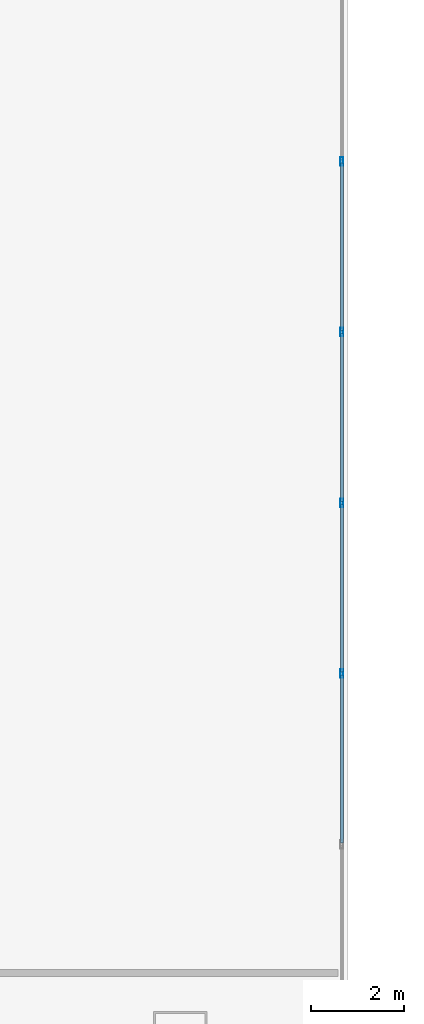
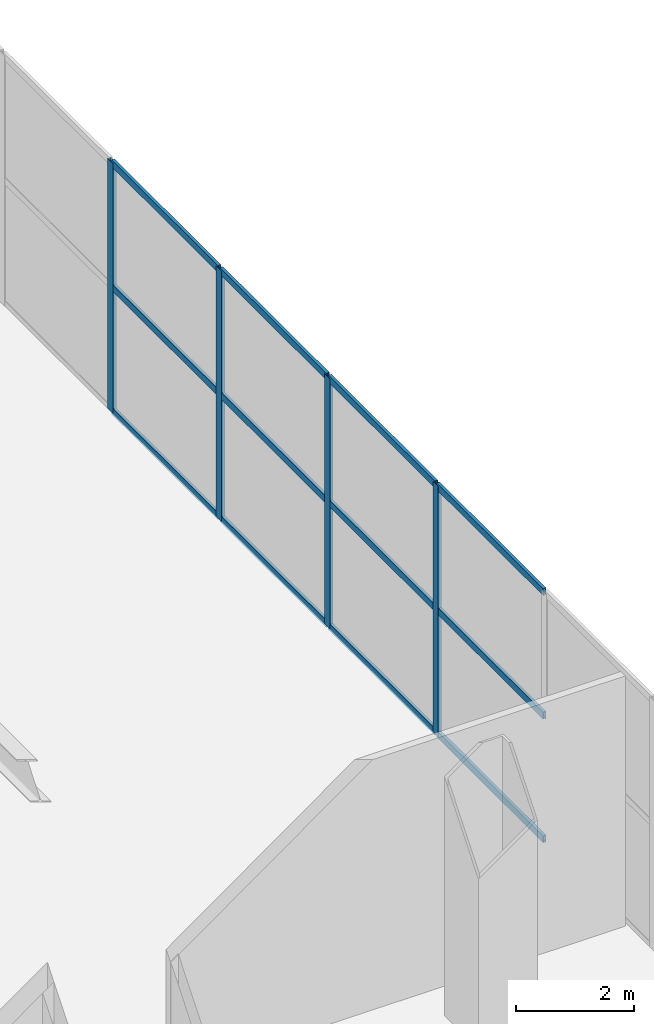
# One storey, part 24 of 37: 16 members, 1 element without a shape of its own.
"""IFC4 building model written with IfcOpenShell, lengths in metres."""

from ifc_helpers import new_model, si_unit, direction, frame, origin, origin_2d, place, context, subcontext, project, spatial, hollow_rectangle, extrude, material, layer, layer_set, material_profile, profile_set, type_object, element, aggregate, save


model = new_model("IFC4")

# Units and contexts
model_context = context("Model", 3, precision=1e-05, world=origin(), true_north=direction((0.0, 1.0)))
body_context = subcontext(model_context, "Body", "Model", "MODEL_VIEW")
ifc_project = project(units=[si_unit("LENGTHUNIT", "METRE"), si_unit("AREAUNIT", "SQUARE_METRE"), si_unit("VOLUMEUNIT", "CUBIC_METRE"), si_unit("PLANEANGLEUNIT", "RADIAN"), si_unit("MASSUNIT", "GRAM", prefix="KILO")], contexts=[model_context])

# Site, building, storey
site_placement = place(None, origin())
site = spatial("IfcSite", under=ifc_project, at=site_placement, CompositionType="ELEMENT")
building_placement = place(site_placement, origin())
building = spatial("IfcBuilding", under=site, at=building_placement, Name="Haolan Belvedere Tower", CompositionType="ELEMENT")
storey_placement = place(building_placement, frame((0.0, 0.0, 10.199951171875)))
storey = spatial("IfcBuildingStorey", under=building, at=storey_placement, Name="L02", CompositionType="ELEMENT", Elevation=10.199951171875)

# Curtain wall, members
ifc_material_1 = material(Name="Anodised champagne-silver aluminium 6063-T6 and Low-E glass", Category="aluminium")
ifc_layer = layer(ifc_material_1, 0.179931640625, Name="Anodised champagne-silver aluminium 6063-T6 and Low-E glass")
ifc_layer_set = layer_set([ifc_layer], Name="Anodised champagne-silver aluminium 6063-T6 and Low-E glass")
curtain_wall_type = type_object("IfcCurtainWallType", Name="CW-SYS-01", PredefinedType="NOTDEFINED", material=ifc_layer_set)
curtain_wall_placement = place(storey_placement, origin())
curtain_wall = element("IfcCurtainWall", 1, at=curtain_wall_placement, inside=storey, type_object=curtain_wall_type, Name="L02 CW-SYS-01 ribbon curtain wall 2.1", PredefinedType="NOTDEFINED")
ifc_material_2 = material(Name="Anodised aluminium 6063-T6", Category="aluminium")
ifc_material_profile_1 = material_profile(ifc_material_2, hollow_rectangle(XDim=0.06494140625, YDim=0.179931640625, WallThickness=0.00390625, at=origin_2d()), Name="Anodised aluminium 6063-T6")
ifc_profile_set_1 = profile_set([ifc_material_profile_1], Name="Anodised aluminium 6063-T6")
member_type_1 = type_object("IfcMemberType", Name="CW-SYS-01-MUL", PredefinedType="MULLION", material=ifc_profile_set_1)
member_1_placement = place(storey_placement, frame((74.27001953125, 35.42333984375, 0.0), z_axis=(0.0, 0.0, 1.0), x_axis=(-1.0, 0.0, 0.0)))
member_1 = element("IfcMember", 2, at=member_1_placement, type_object=member_type_1, Name="CW-01 mullion 8", PredefinedType="MULLION", context=body_context, shape_type="SweptSolid", body=[
    extrude(hollow_rectangle(XDim=0.06494140625, YDim=0.179931640625, WallThickness=0.00390625, at=origin_2d()), origin(), (0.0, 0.0, 1.0), 5.16015625),
])
member_2_placement = place(storey_placement, frame((74.27001953125, 39.084716796875, 0.0), z_axis=(0.0, 0.0, 1.0), x_axis=(-1.0, 0.0, 0.0)))
member_2 = element("IfcMember", 3, at=member_2_placement, type_object=member_type_1, Name="CW-01 mullion 9", PredefinedType="MULLION", context=body_context, shape_type="SweptSolid", body=[
    extrude(hollow_rectangle(XDim=0.06494140625, YDim=0.179931640625, WallThickness=0.00390625, at=origin_2d()), origin(), (0.0, 0.0, 1.0), 5.16015625),
])
member_3_placement = place(storey_placement, frame((74.27001953125, 42.745849609375, 0.0), z_axis=(0.0, 0.0, 1.0), x_axis=(-1.0, 0.0, 0.0)))
member_3 = element("IfcMember", 4, at=member_3_placement, type_object=member_type_1, Name="CW-01 mullion 10", PredefinedType="MULLION", context=body_context, shape_type="SweptSolid", body=[
    extrude(hollow_rectangle(XDim=0.06494140625, YDim=0.179931640625, WallThickness=0.00390625, at=origin_2d()), origin(), (0.0, 0.0, 1.0), 5.16015625),
])
member_4_placement = place(storey_placement, frame((74.27001953125, 46.4072265625, 0.0), z_axis=(0.0, 0.0, 1.0), x_axis=(-1.0, 0.0, 0.0)))
member_4 = element("IfcMember", 5, at=member_4_placement, type_object=member_type_1, Name="CW-01 mullion 11", PredefinedType="MULLION", context=body_context, shape_type="SweptSolid", body=[
    extrude(hollow_rectangle(XDim=0.06494140625, YDim=0.179931640625, WallThickness=0.00390625, at=origin_2d()), origin(), (0.0, 0.0, 1.0), 5.16015625),
])
ifc_material_profile_2 = material_profile(ifc_material_2, hollow_rectangle(XDim=0.06005859375, YDim=0.139892578125, WallThickness=0.00390625, at=origin_2d()), Name="Anodised aluminium 6063-T6")
ifc_profile_set_2 = profile_set([ifc_material_profile_2], Name="Anodised aluminium 6063-T6")
member_type_2 = type_object("IfcMemberType", Name="CW-SYS-01-TRN", PredefinedType="USERDEFINED", material=ifc_profile_set_2)
member_5_placement = place(storey_placement, frame((74.27001953125, 31.79443359375, 0.030029296875), z_axis=(0.0, 1.0, 0.0), x_axis=(-1.0, 0.0, 0.0)))
member_5 = element("IfcMember", 6, at=member_5_placement, type_object=member_type_2, Name="CW-01 transom 7.1", ObjectType="TRANSOM", PredefinedType="USERDEFINED", context=body_context, shape_type="SweptSolid", body=[
    extrude(hollow_rectangle(XDim=0.06005859375, YDim=0.139892578125, WallThickness=0.00390625, at=origin_2d()), origin(), (0.0, 0.0, 1.0), 3.596435546875),
])
member_6_placement = place(storey_placement, frame((74.27001953125, 31.79443359375, 2.580078125), z_axis=(0.0, 1.0, 0.0), x_axis=(-1.0, 0.0, 0.0)))
member_6 = element("IfcMember", 7, at=member_6_placement, type_object=member_type_2, Name="CW-01 transom 7.2", ObjectType="TRANSOM", PredefinedType="USERDEFINED", context=body_context, shape_type="SweptSolid", body=[
    extrude(hollow_rectangle(XDim=0.06005859375, YDim=0.139892578125, WallThickness=0.00390625, at=origin_2d()), origin(), (0.0, 0.0, 1.0), 3.596435546875),
])
member_7_placement = place(storey_placement, frame((74.27001953125, 31.79443359375, 5.130126953125), z_axis=(0.0, 1.0, 0.0), x_axis=(-1.0, 0.0, 0.0)))
member_7 = element("IfcMember", 8, at=member_7_placement, type_object=member_type_2, Name="CW-01 transom 7.3", ObjectType="TRANSOM", PredefinedType="USERDEFINED", context=body_context, shape_type="SweptSolid", body=[
    extrude(hollow_rectangle(XDim=0.06005859375, YDim=0.139892578125, WallThickness=0.00390625, at=origin_2d()), origin(), (0.0, 0.0, 1.0), 3.596435546875),
])
member_8_placement = place(storey_placement, frame((74.27001953125, 35.455810546875, 0.030029296875), z_axis=(0.0, 1.0, 0.0), x_axis=(-1.0, 0.0, 0.0)))
member_8 = element("IfcMember", 9, at=member_8_placement, type_object=member_type_2, Name="CW-01 transom 8.1", ObjectType="TRANSOM", PredefinedType="USERDEFINED", context=body_context, shape_type="SweptSolid", body=[
    extrude(hollow_rectangle(XDim=0.06005859375, YDim=0.139892578125, WallThickness=0.00390625, at=origin_2d()), origin(), (0.0, 0.0, 1.0), 3.59619140625),
])
member_9_placement = place(storey_placement, frame((74.27001953125, 35.455810546875, 2.580078125), z_axis=(0.0, 1.0, 0.0), x_axis=(-1.0, 0.0, 0.0)))
member_9 = element("IfcMember", 10, at=member_9_placement, type_object=member_type_2, Name="CW-01 transom 8.2", ObjectType="TRANSOM", PredefinedType="USERDEFINED", context=body_context, shape_type="SweptSolid", body=[
    extrude(hollow_rectangle(XDim=0.06005859375, YDim=0.139892578125, WallThickness=0.00390625, at=origin_2d()), origin(), (0.0, 0.0, 1.0), 3.59619140625),
])
member_10_placement = place(storey_placement, frame((74.27001953125, 35.455810546875, 5.130126953125), z_axis=(0.0, 1.0, 0.0), x_axis=(-1.0, 0.0, 0.0)))
member_10 = element("IfcMember", 11, at=member_10_placement, type_object=member_type_2, Name="CW-01 transom 8.3", ObjectType="TRANSOM", PredefinedType="USERDEFINED", context=body_context, shape_type="SweptSolid", body=[
    extrude(hollow_rectangle(XDim=0.06005859375, YDim=0.139892578125, WallThickness=0.00390625, at=origin_2d()), origin(), (0.0, 0.0, 1.0), 3.59619140625),
])
member_11_placement = place(storey_placement, frame((74.27001953125, 39.1171875, 0.030029296875), z_axis=(0.0, 1.0, 0.0), x_axis=(-1.0, 0.0, 0.0)))
member_11 = element("IfcMember", 12, at=member_11_placement, type_object=member_type_2, Name="CW-01 transom 9.1", ObjectType="TRANSOM", PredefinedType="USERDEFINED", context=body_context, shape_type="SweptSolid", body=[
    extrude(hollow_rectangle(XDim=0.06005859375, YDim=0.139892578125, WallThickness=0.00390625, at=origin_2d()), origin(), (0.0, 0.0, 1.0), 3.59619140625),
])
member_12_placement = place(storey_placement, frame((74.27001953125, 39.1171875, 2.580078125), z_axis=(0.0, 1.0, 0.0), x_axis=(-1.0, 0.0, 0.0)))
member_12 = element("IfcMember", 13, at=member_12_placement, type_object=member_type_2, Name="CW-01 transom 9.2", ObjectType="TRANSOM", PredefinedType="USERDEFINED", context=body_context, shape_type="SweptSolid", body=[
    extrude(hollow_rectangle(XDim=0.06005859375, YDim=0.139892578125, WallThickness=0.00390625, at=origin_2d()), origin(), (0.0, 0.0, 1.0), 3.59619140625),
])
member_13_placement = place(storey_placement, frame((74.27001953125, 39.1171875, 5.130126953125), z_axis=(0.0, 1.0, 0.0), x_axis=(-1.0, 0.0, 0.0)))
member_13 = element("IfcMember", 14, at=member_13_placement, type_object=member_type_2, Name="CW-01 transom 9.3", ObjectType="TRANSOM", PredefinedType="USERDEFINED", context=body_context, shape_type="SweptSolid", body=[
    extrude(hollow_rectangle(XDim=0.06005859375, YDim=0.139892578125, WallThickness=0.00390625, at=origin_2d()), origin(), (0.0, 0.0, 1.0), 3.59619140625),
])
member_14_placement = place(storey_placement, frame((74.27001953125, 42.778564453125, 0.030029296875), z_axis=(0.0, 1.0, 0.0), x_axis=(-1.0, 0.0, 0.0)))
member_14 = element("IfcMember", 15, at=member_14_placement, type_object=member_type_2, Name="CW-01 transom 10.1", ObjectType="TRANSOM", PredefinedType="USERDEFINED", context=body_context, shape_type="SweptSolid", body=[
    extrude(hollow_rectangle(XDim=0.06005859375, YDim=0.139892578125, WallThickness=0.00390625, at=origin_2d()), origin(), (0.0, 0.0, 1.0), 3.59619140625),
])
member_15_placement = place(storey_placement, frame((74.27001953125, 42.778564453125, 2.580078125), z_axis=(0.0, 1.0, 0.0), x_axis=(-1.0, 0.0, 0.0)))
member_15 = element("IfcMember", 16, at=member_15_placement, type_object=member_type_2, Name="CW-01 transom 10.2", ObjectType="TRANSOM", PredefinedType="USERDEFINED", context=body_context, shape_type="SweptSolid", body=[
    extrude(hollow_rectangle(XDim=0.06005859375, YDim=0.139892578125, WallThickness=0.00390625, at=origin_2d()), origin(), (0.0, 0.0, 1.0), 3.59619140625),
])
member_16_placement = place(storey_placement, frame((74.27001953125, 42.778564453125, 5.130126953125), z_axis=(0.0, 1.0, 0.0), x_axis=(-1.0, 0.0, 0.0)))
member_16 = element("IfcMember", 17, at=member_16_placement, type_object=member_type_2, Name="CW-01 transom 10.3", ObjectType="TRANSOM", PredefinedType="USERDEFINED", context=body_context, shape_type="SweptSolid", body=[
    extrude(hollow_rectangle(XDim=0.06005859375, YDim=0.139892578125, WallThickness=0.00390625, at=origin_2d()), origin(), (0.0, 0.0, 1.0), 3.59619140625),
])
aggregate(curtain_wall, [member_1, member_2, member_3, member_4, member_5, member_6, member_7, member_8, member_9, member_10, member_11, member_12, member_13, member_14, member_15, member_16])

save(model, "model.ifc")
